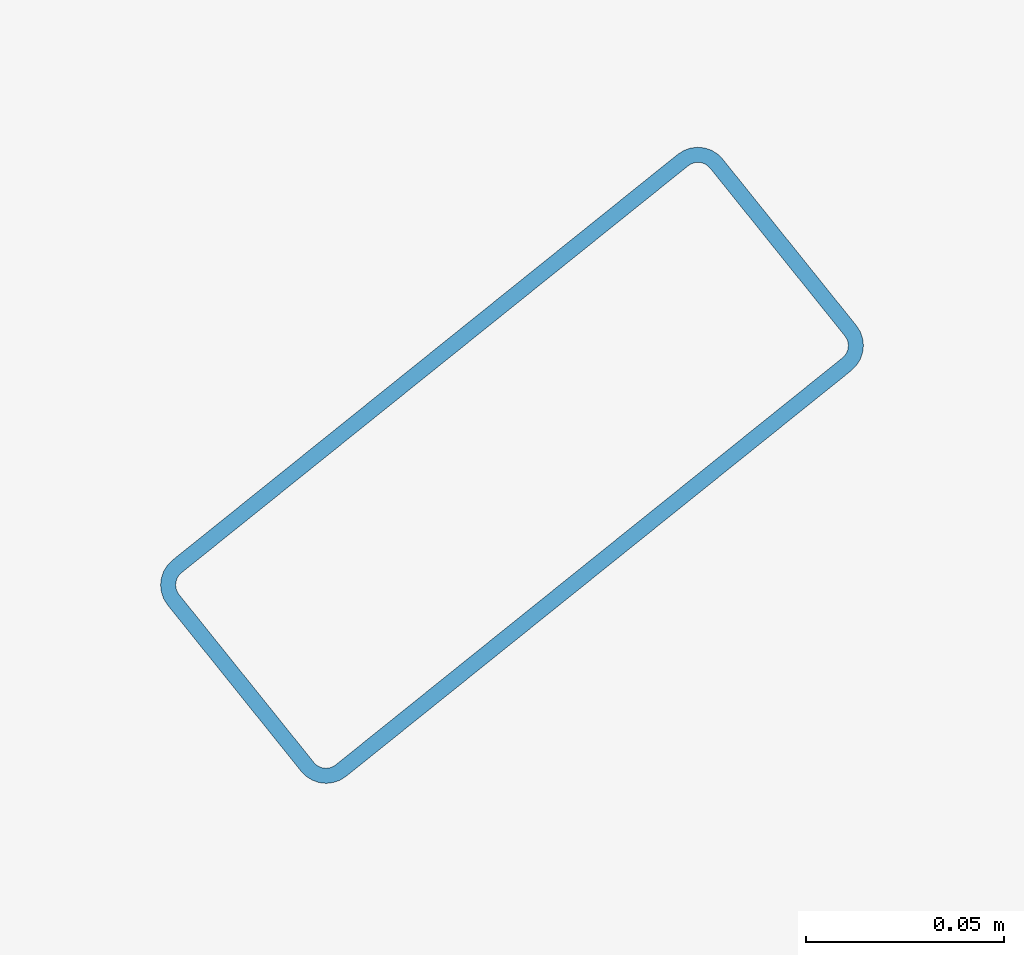
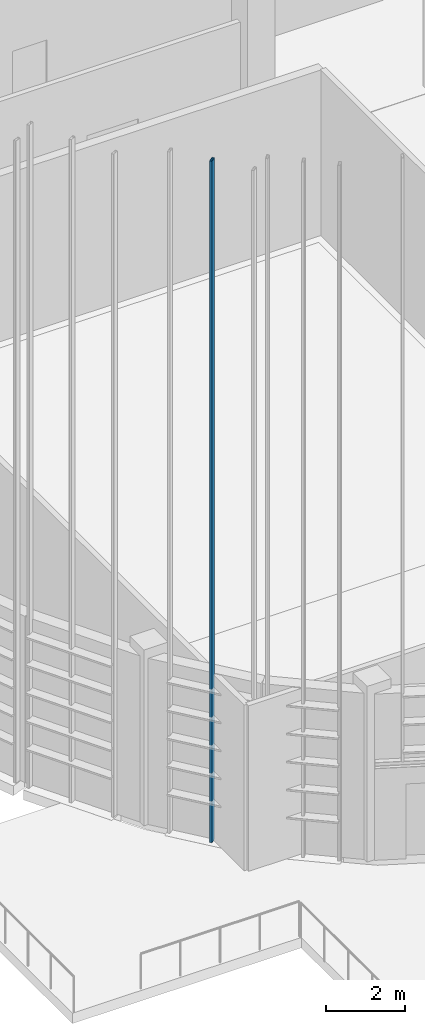
# One storey, part 178 of 372: 1 member.
"""IFC4 building model written with IfcOpenShell, lengths in metres."""

import ifcopenshell
import ifcopenshell.guid

model = None  # the IFC model being written
_history = None  # IfcOwnerHistory: only IFC2X3 demands one
_inside = {}  # id of a spatial element -> (the spatial element, [elements in it])
_under = {}  # id of a project, library or spatial element -> (it, [spatial elements below it])
_declared = {}  # id of a project -> (the project, [libraries it declares])
_typed = {}  # id of a type object -> (the type object, [elements of that type])
_made_of = {}  # id of a material, layer set ... -> (it, [elements and type objects made of it])


def new_model(schema):
    """Start an empty IFC model of exactly this schema.

    Asked for "IFC4X3", IfcOpenShell would pick the latest addendum, in which some entities
    have other attributes; the version numbers below select the first issue.
    IFC2X3 requires an IfcOwnerHistory on every rooted entity: one is made here for all.
    """
    global model, _history
    if schema == "IFC4X3":
        model = ifcopenshell.file(schema_version=(4, 3, 0, 0))
    else:
        model = ifcopenshell.file(schema=schema)
    _inside.clear()
    _under.clear()
    _declared.clear()
    _typed.clear()
    _made_of.clear()
    _history = None
    if model.schema == "IFC2X3":
        org = make("IfcOrganization", Name="unknown")
        user = make(
            "IfcPersonAndOrganization",
            ThePerson=make("IfcPerson", FamilyName="unknown"),
            TheOrganization=org,
        )
        app = make(
            "IfcApplication",
            ApplicationDeveloper=org,
            Version="unknown",
            ApplicationFullName="unknown",
            ApplicationIdentifier="unknown",
        )
        _history = make(
            "IfcOwnerHistory",
            OwningUser=user,
            OwningApplication=app,
            ChangeAction="ADDED",
            CreationDate=0,
        )
    return model


def make(cls, **values):
    """One entity of the class cls with the attributes given. An attribute that is None is left unset."""
    return model.create_entity(
        cls, **{name: value for name, value in values.items() if value is not None}
    )


def rooted(cls, **values):
    """An entity with a GlobalId (a new one), such as an element, a storey or a relation."""
    return make(cls, GlobalId=ifcopenshell.guid.new(), OwnerHistory=_history, **values)


def si_unit(unit_type, name, prefix=None):
    """IfcSIUnit, for example si_unit("LENGTHUNIT", "METRE", prefix="MILLI")."""
    return make("IfcSIUnit", UnitType=unit_type, Prefix=prefix, Name=name)


def assignment(units):
    """IfcUnitAssignment: the units of a project."""
    return None if units is None else make("IfcUnitAssignment", Units=units)


def point(xyz):
    """IfcCartesianPoint."""
    return None if xyz is None else make("IfcCartesianPoint", Coordinates=xyz)


def direction(xyz):
    """IfcDirection."""
    return None if xyz is None else make("IfcDirection", DirectionRatios=xyz)


def frame(location, z_axis=None, x_axis=None):
    """IfcAxis2Placement3D, a coordinate frame: its origin and axes. An axis left out is left unset."""
    return make(
        "IfcAxis2Placement3D",
        Location=point(location),
        Axis=direction(z_axis),
        RefDirection=direction(x_axis),
    )


def frame_2d(location, x_axis=None):
    """IfcAxis2Placement2D, a coordinate frame in the plane: its origin and x axis."""
    return make(
        "IfcAxis2Placement2D", Location=point(location), RefDirection=direction(x_axis)
    )


def origin():
    """The frame at (0, 0, 0) with its axes left unset."""
    return frame((0.0, 0.0, 0.0))


def origin_2d():
    """The frame at (0, 0) in the plane with its x axis left unset."""
    return frame_2d((0.0, 0.0))


def place(relative_to, where):
    """IfcLocalPlacement: puts the frame where relative to a parent placement (None: the world)."""
    return make(
        "IfcLocalPlacement", PlacementRelTo=relative_to, RelativePlacement=where
    )


def context(
    kind, dimensions, precision=None, world=None, true_north=None, identifier=None
):
    """IfcGeometricRepresentationContext, for example the 3D "Model" context."""
    return make(
        "IfcGeometricRepresentationContext",
        ContextIdentifier=identifier,
        ContextType=kind,
        CoordinateSpaceDimension=dimensions,
        Precision=precision,
        WorldCoordinateSystem=world,
        TrueNorth=true_north,
    )


def subcontext(parent, identifier, kind, view, scale=None):
    """IfcGeometricRepresentationSubContext, for example "Body" below "Model"."""
    return make(
        "IfcGeometricRepresentationSubContext",
        ContextIdentifier=identifier,
        ContextType=kind,
        ParentContext=parent,
        TargetScale=scale,
        TargetView=view,
    )


def project(units=None, contexts=None):
    """IfcProject with its units and contexts."""
    return rooted(
        "IfcProject",
        Name="project",
        RepresentationContexts=contexts,
        UnitsInContext=assignment(units),
    )


def spatial(cls, under=None, at=None, **own):
    """A site, building, storey or space (cls), placed at a placement, below another one or the project."""
    s = rooted(cls, ObjectPlacement=at, **own)
    if under is not None:
        _under.setdefault(under.id(), (under, []))[1].append(s)
    return s


def profile(cls, at=None, kind="AREA", **sizes):
    """A parametric profile (cls). Its sizes go by their IFC names, for example OverallWidth=200.0."""
    return make(cls, ProfileType=kind, Position=at, **sizes)


def hollow_rectangle(**sizes):
    """IfcRectangleHollowProfileDef."""
    return profile("IfcRectangleHollowProfileDef", **sizes)


def extrude(swept, where, along, depth):
    """IfcExtrudedAreaSolid: the profile swept, set in the frame where, extruded along a direction by depth."""
    return make(
        "IfcExtrudedAreaSolid",
        SweptArea=swept,
        Position=where,
        ExtrudedDirection=direction(along),
        Depth=depth,
    )


def shape(context_of_items, identifier, shape_type, items):
    """IfcShapeRepresentation: the items that make up one representation, for example the "Body"."""
    return make(
        "IfcShapeRepresentation",
        ContextOfItems=context_of_items,
        RepresentationIdentifier=identifier,
        RepresentationType=shape_type,
        Items=items,
    )


def material(Name=None, Category=None):
    """IfcMaterial."""
    return make("IfcMaterial", Name=Name, Category=Category)


def material_profile(
    of_material, cross_section, Name=None, Category=None, Priority=None
):
    """IfcMaterialProfile: a cross section and its material."""
    return make(
        "IfcMaterialProfile",
        Name=Name,
        Material=of_material,
        Profile=cross_section,
        Priority=Priority,
        Category=Category,
    )


def profile_set(profiles, Name=None, composite=None):
    """IfcMaterialProfileSet."""
    return make(
        "IfcMaterialProfileSet",
        Name=Name,
        MaterialProfiles=profiles,
        CompositeProfile=composite,
    )


def made_of(thing, what):
    """Note that an element or type object is made of a material, layer set ...; save() writes the relation."""
    if what is not None:
        _made_of.setdefault(what.id(), (what, []))[1].append(thing)
    return thing


def type_object(cls, material=None, **own):
    """A type object (cls), such as IfcWallType, which elements share."""
    return made_of(rooted(cls, **own), material)


def element(
    cls,
    number,
    at=None,
    inside=None,
    cuts=None,
    type_object=None,
    material=None,
    context=None,
    identifier="Body",
    shape_type=None,
    held_by="IfcProductDefinitionShape",
    body=None,
    shapes=None,
    **own,
):
    """One element of the class cls, such as IfcWall. Its Tag is "e" and its number.

    at: its placement. inside: the storey or other place that contains it. cuts: it is an
    opening in that element (IfcRelVoidsElement). A single representation is given by context,
    identifier, shape_type and body (its items); several are given by shapes. held_by: the class
    of the entity that holds the representations. save() writes the other relations.
    """
    e = rooted(cls, Tag="e%d" % number, ObjectPlacement=at, **own)
    if body is not None:
        shapes = [shape(context, identifier, shape_type, body)]
    if shapes is not None:
        e.Representation = make(held_by, Representations=shapes)
    if inside is not None:
        _inside.setdefault(inside.id(), (inside, []))[1].append(e)
    if cuts is not None:
        rooted(
            "IfcRelVoidsElement", RelatingBuildingElement=cuts, RelatedOpeningElement=e
        )
    if type_object is not None:
        _typed.setdefault(type_object.id(), (type_object, []))[1].append(e)
    return made_of(e, material)


def aggregate(whole, parts):
    """IfcRelAggregates: a whole, such as a stair, and the parts it consists of."""
    return rooted("IfcRelAggregates", RelatingObject=whole, RelatedObjects=parts)


def save(model, path):
    """Write the relations noted so far, then the file.

    IfcRelAggregates (storeys below a building ...), IfcRelContainedInSpatialStructure (elements
    in a storey), IfcRelDefinesByType, IfcRelAssociatesMaterial and IfcRelDeclares: one each for
    every whole, place, type object, material and project.
    """
    for whole, parts in _under.values():
        aggregate(whole, parts)
    for where, things in _inside.values():
        rooted(
            "IfcRelContainedInSpatialStructure",
            RelatedElements=things,
            RelatingStructure=where,
        )
    for kind, things in _typed.values():
        rooted("IfcRelDefinesByType", RelatedObjects=things, RelatingType=kind)
    for what, things in _made_of.values():
        rooted("IfcRelAssociatesMaterial", RelatedObjects=things, RelatingMaterial=what)
    for by, libraries in _declared.values():
        rooted("IfcRelDeclares", RelatingContext=by, RelatedDefinitions=libraries)
    model.write(path)


model = new_model("IFC4")

# Units and contexts
model_context = context("Model", 3, precision=1e-05, world=origin(), true_north=direction((0.0, 1.0)))
body_context = subcontext(model_context, "Body", "Model", "MODEL_VIEW")
ifc_project = project(units=[si_unit("LENGTHUNIT", "METRE"), si_unit("AREAUNIT", "SQUARE_METRE"), si_unit("VOLUMEUNIT", "CUBIC_METRE"), si_unit("PLANEANGLEUNIT", "RADIAN"), si_unit("MASSUNIT", "GRAM", prefix="KILO")], contexts=[model_context])

# Site, building, storey
site_placement = place(None, origin())
site = spatial("IfcSite", under=ifc_project, at=site_placement, CompositionType="ELEMENT")
building_placement = place(site_placement, origin())
building = spatial("IfcBuilding", under=site, at=building_placement, Name="Kaelora Sail Theatre", CompositionType="ELEMENT")
storey_placement = place(building_placement, origin())
storey = spatial("IfcBuildingStorey", under=building, at=storey_placement, Name="L00", CompositionType="ELEMENT", Elevation=0.0)

# Member
ifc_material = material(Name="Anodised aluminium 6063-T6", Category="aluminium")
ifc_material_profile = material_profile(ifc_material, hollow_rectangle(XDim=0.070068359375, YDim=0.179931640625, WallThickness=0.00390625, InnerFilletRadius=0.00390625, OuterFilletRadius=0.008056640625, at=origin_2d()), Name="ALU-MULL 70x180x4")
ifc_profile_set = profile_set([ifc_material_profile], Name="Anodised aluminium 6063-T6")
member_type = type_object("IfcMemberType", Name="ARC-MEM-PST-160", PredefinedType="POST", material=ifc_profile_set)
member_placement = place(storey_placement, frame((82.676513671875, 35.34716796875, 0.0), z_axis=(0.0, 0.0, 1.0), x_axis=(-0.626195665085, 0.779665947075, 0.0)))
element("IfcMember", 1, at=member_placement, inside=storey, type_object=member_type, Name="Studio Theatre Sail Drum solar louvre vertical support post C14-2", PredefinedType="POST", context=body_context, shape_type="SweptSolid", body=[
    extrude(hollow_rectangle(XDim=0.070068359375, YDim=0.179931640625, WallThickness=0.00390625, InnerFilletRadius=0.00390625, OuterFilletRadius=0.008056640625, at=origin_2d()), origin(), (0.0, 0.0, 1.0), 20.927978515625),
])

save(model, "model.ifc")
